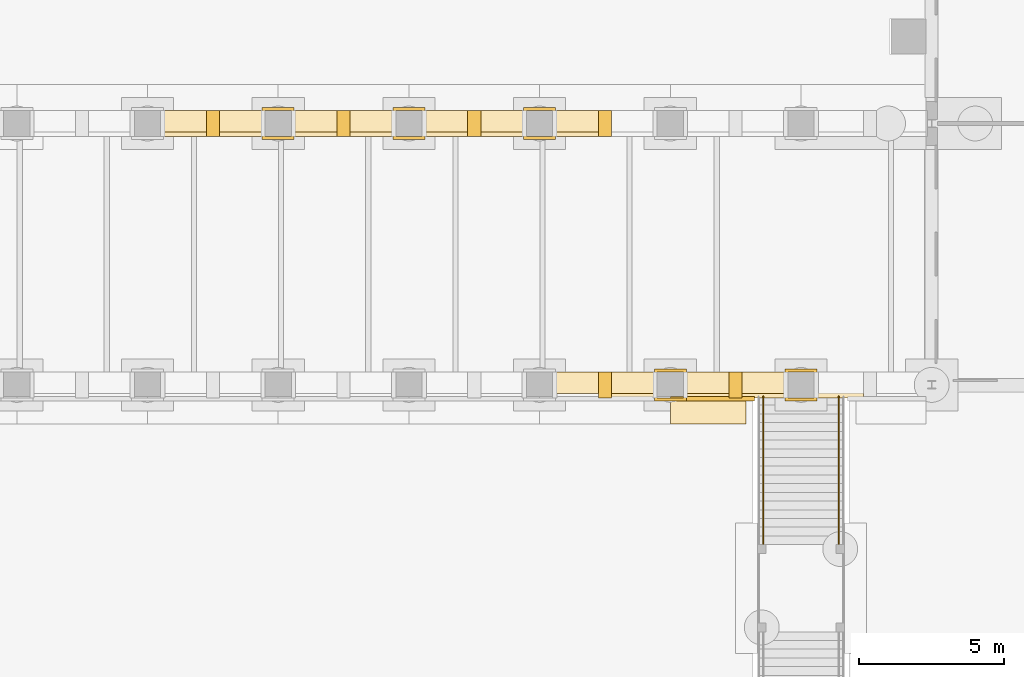
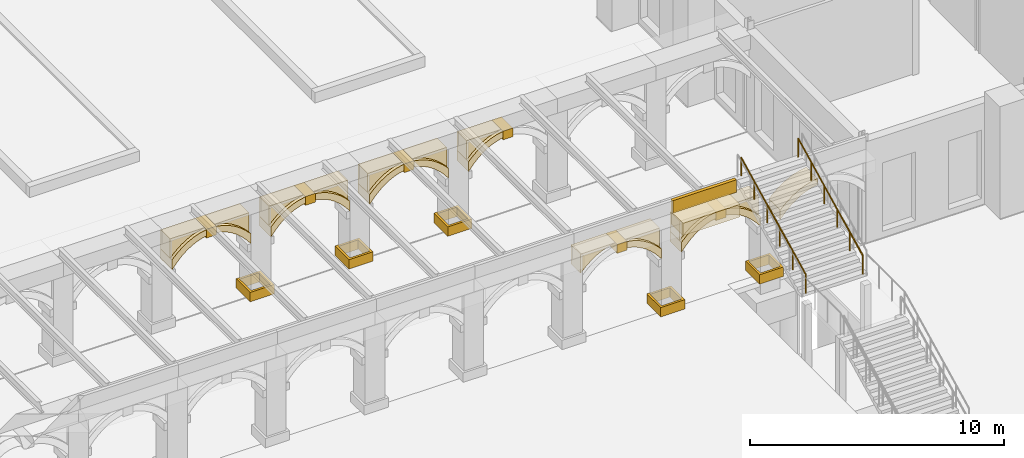
# One storey, part 150 of 168: 35 coverings, 2 railings.
"""IFC4 building model written with IfcOpenShell, lengths in metres."""

import ifcopenshell
import ifcopenshell.guid

model = None  # the IFC model being written
_history = None  # IfcOwnerHistory: only IFC2X3 demands one
_inside = {}  # id of a spatial element -> (the spatial element, [elements in it])
_under = {}  # id of a project, library or spatial element -> (it, [spatial elements below it])
_declared = {}  # id of a project -> (the project, [libraries it declares])
_typed = {}  # id of a type object -> (the type object, [elements of that type])
_made_of = {}  # id of a material, layer set ... -> (it, [elements and type objects made of it])


def new_model(schema):
    """Start an empty IFC model of exactly this schema.

    Asked for "IFC4X3", IfcOpenShell would pick the latest addendum, in which some entities
    have other attributes; the version numbers below select the first issue.
    IFC2X3 requires an IfcOwnerHistory on every rooted entity: one is made here for all.
    """
    global model, _history
    if schema == "IFC4X3":
        model = ifcopenshell.file(schema_version=(4, 3, 0, 0))
    else:
        model = ifcopenshell.file(schema=schema)
    _inside.clear()
    _under.clear()
    _declared.clear()
    _typed.clear()
    _made_of.clear()
    _history = None
    if model.schema == "IFC2X3":
        org = make("IfcOrganization", Name="unknown")
        user = make(
            "IfcPersonAndOrganization",
            ThePerson=make("IfcPerson", FamilyName="unknown"),
            TheOrganization=org,
        )
        app = make(
            "IfcApplication",
            ApplicationDeveloper=org,
            Version="unknown",
            ApplicationFullName="unknown",
            ApplicationIdentifier="unknown",
        )
        _history = make(
            "IfcOwnerHistory",
            OwningUser=user,
            OwningApplication=app,
            ChangeAction="ADDED",
            CreationDate=0,
        )
    return model


def make(cls, **values):
    """One entity of the class cls with the attributes given. An attribute that is None is left unset."""
    return model.create_entity(
        cls, **{name: value for name, value in values.items() if value is not None}
    )


def rooted(cls, **values):
    """An entity with a GlobalId (a new one), such as an element, a storey or a relation."""
    return make(cls, GlobalId=ifcopenshell.guid.new(), OwnerHistory=_history, **values)


def si_unit(unit_type, name, prefix=None):
    """IfcSIUnit, for example si_unit("LENGTHUNIT", "METRE", prefix="MILLI")."""
    return make("IfcSIUnit", UnitType=unit_type, Prefix=prefix, Name=name)


def assignment(units):
    """IfcUnitAssignment: the units of a project."""
    return None if units is None else make("IfcUnitAssignment", Units=units)


def point(xyz):
    """IfcCartesianPoint."""
    return None if xyz is None else make("IfcCartesianPoint", Coordinates=xyz)


def direction(xyz):
    """IfcDirection."""
    return None if xyz is None else make("IfcDirection", DirectionRatios=xyz)


def frame(location, z_axis=None, x_axis=None):
    """IfcAxis2Placement3D, a coordinate frame: its origin and axes. An axis left out is left unset."""
    return make(
        "IfcAxis2Placement3D",
        Location=point(location),
        Axis=direction(z_axis),
        RefDirection=direction(x_axis),
    )


def frame_2d(location, x_axis=None):
    """IfcAxis2Placement2D, a coordinate frame in the plane: its origin and x axis."""
    return make(
        "IfcAxis2Placement2D", Location=point(location), RefDirection=direction(x_axis)
    )


def origin():
    """The frame at (0, 0, 0) with its axes left unset."""
    return frame((0.0, 0.0, 0.0))


def origin_2d():
    """The frame at (0, 0) in the plane with its x axis left unset."""
    return frame_2d((0.0, 0.0))


def place(relative_to, where):
    """IfcLocalPlacement: puts the frame where relative to a parent placement (None: the world)."""
    return make(
        "IfcLocalPlacement", PlacementRelTo=relative_to, RelativePlacement=where
    )


def context(
    kind, dimensions, precision=None, world=None, true_north=None, identifier=None
):
    """IfcGeometricRepresentationContext, for example the 3D "Model" context."""
    return make(
        "IfcGeometricRepresentationContext",
        ContextIdentifier=identifier,
        ContextType=kind,
        CoordinateSpaceDimension=dimensions,
        Precision=precision,
        WorldCoordinateSystem=world,
        TrueNorth=true_north,
    )


def subcontext(parent, identifier, kind, view, scale=None):
    """IfcGeometricRepresentationSubContext, for example "Body" below "Model"."""
    return make(
        "IfcGeometricRepresentationSubContext",
        ContextIdentifier=identifier,
        ContextType=kind,
        ParentContext=parent,
        TargetScale=scale,
        TargetView=view,
    )


def project(units=None, contexts=None):
    """IfcProject with its units and contexts."""
    return rooted(
        "IfcProject",
        Name="project",
        RepresentationContexts=contexts,
        UnitsInContext=assignment(units),
    )


def spatial(cls, under=None, at=None, **own):
    """A site, building, storey or space (cls), placed at a placement, below another one or the project."""
    s = rooted(cls, ObjectPlacement=at, **own)
    if under is not None:
        _under.setdefault(under.id(), (under, []))[1].append(s)
    return s


def polyline(points):
    """IfcPolyline through the points."""
    return make("IfcPolyline", Points=[point(p) for p in points])


def profile(cls, at=None, kind="AREA", **sizes):
    """A parametric profile (cls). Its sizes go by their IFC names, for example OverallWidth=200.0."""
    return make(cls, ProfileType=kind, Position=at, **sizes)


def rectangle(**sizes):
    """IfcRectangleProfileDef."""
    return profile("IfcRectangleProfileDef", **sizes)


def circle(**sizes):
    """IfcCircleProfileDef."""
    return profile("IfcCircleProfileDef", **sizes)


def outline(outer, holes=None, kind="AREA"):
    """IfcArbitraryClosedProfileDef: a profile drawn as a closed curve; with holes, ...WithVoids."""
    if holes is None:
        return make("IfcArbitraryClosedProfileDef", ProfileType=kind, OuterCurve=outer)
    return make(
        "IfcArbitraryProfileDefWithVoids",
        ProfileType=kind,
        OuterCurve=outer,
        InnerCurves=holes,
    )


def extrude(swept, where, along, depth):
    """IfcExtrudedAreaSolid: the profile swept, set in the frame where, extruded along a direction by depth."""
    return make(
        "IfcExtrudedAreaSolid",
        SweptArea=swept,
        Position=where,
        ExtrudedDirection=direction(along),
        Depth=depth,
    )


def shape(context_of_items, identifier, shape_type, items):
    """IfcShapeRepresentation: the items that make up one representation, for example the "Body"."""
    return make(
        "IfcShapeRepresentation",
        ContextOfItems=context_of_items,
        RepresentationIdentifier=identifier,
        RepresentationType=shape_type,
        Items=items,
    )


def material(Name=None, Category=None):
    """IfcMaterial."""
    return make("IfcMaterial", Name=Name, Category=Category)


def layer(
    of_material, thickness, ventilated=None, Name=None, Category=None, Priority=None
):
    """IfcMaterialLayer: one layer of a wall or slab, of a material (None: an air gap)."""
    return make(
        "IfcMaterialLayer",
        Material=of_material,
        LayerThickness=thickness,
        IsVentilated=ventilated,
        Name=Name,
        Category=Category,
        Priority=Priority,
    )


def layer_set(layers, Name=None):
    """IfcMaterialLayerSet."""
    return make("IfcMaterialLayerSet", MaterialLayers=layers, LayerSetName=Name)


def material_profile(
    of_material, cross_section, Name=None, Category=None, Priority=None
):
    """IfcMaterialProfile: a cross section and its material."""
    return make(
        "IfcMaterialProfile",
        Name=Name,
        Material=of_material,
        Profile=cross_section,
        Priority=Priority,
        Category=Category,
    )


def profile_set(profiles, Name=None, composite=None):
    """IfcMaterialProfileSet."""
    return make(
        "IfcMaterialProfileSet",
        Name=Name,
        MaterialProfiles=profiles,
        CompositeProfile=composite,
    )


def made_of(thing, what):
    """Note that an element or type object is made of a material, layer set ...; save() writes the relation."""
    if what is not None:
        _made_of.setdefault(what.id(), (what, []))[1].append(thing)
    return thing


def type_object(cls, material=None, **own):
    """A type object (cls), such as IfcWallType, which elements share."""
    return made_of(rooted(cls, **own), material)


def element(
    cls,
    number,
    at=None,
    inside=None,
    cuts=None,
    type_object=None,
    material=None,
    context=None,
    identifier="Body",
    shape_type=None,
    held_by="IfcProductDefinitionShape",
    body=None,
    shapes=None,
    **own,
):
    """One element of the class cls, such as IfcWall. Its Tag is "e" and its number.

    at: its placement. inside: the storey or other place that contains it. cuts: it is an
    opening in that element (IfcRelVoidsElement). A single representation is given by context,
    identifier, shape_type and body (its items); several are given by shapes. held_by: the class
    of the entity that holds the representations. save() writes the other relations.
    """
    e = rooted(cls, Tag="e%d" % number, ObjectPlacement=at, **own)
    if body is not None:
        shapes = [shape(context, identifier, shape_type, body)]
    if shapes is not None:
        e.Representation = make(held_by, Representations=shapes)
    if inside is not None:
        _inside.setdefault(inside.id(), (inside, []))[1].append(e)
    if cuts is not None:
        rooted(
            "IfcRelVoidsElement", RelatingBuildingElement=cuts, RelatedOpeningElement=e
        )
    if type_object is not None:
        _typed.setdefault(type_object.id(), (type_object, []))[1].append(e)
    return made_of(e, material)


def aggregate(whole, parts):
    """IfcRelAggregates: a whole, such as a stair, and the parts it consists of."""
    return rooted("IfcRelAggregates", RelatingObject=whole, RelatedObjects=parts)


def save(model, path):
    """Write the relations noted so far, then the file.

    IfcRelAggregates (storeys below a building ...), IfcRelContainedInSpatialStructure (elements
    in a storey), IfcRelDefinesByType, IfcRelAssociatesMaterial and IfcRelDeclares: one each for
    every whole, place, type object, material and project.
    """
    for whole, parts in _under.values():
        aggregate(whole, parts)
    for where, things in _inside.values():
        rooted(
            "IfcRelContainedInSpatialStructure",
            RelatedElements=things,
            RelatingStructure=where,
        )
    for kind, things in _typed.values():
        rooted("IfcRelDefinesByType", RelatedObjects=things, RelatingType=kind)
    for what, things in _made_of.values():
        rooted("IfcRelAssociatesMaterial", RelatedObjects=things, RelatingMaterial=what)
    for by, libraries in _declared.values():
        rooted("IfcRelDeclares", RelatingContext=by, RelatedDefinitions=libraries)
    model.write(path)


model = new_model("IFC4")

# Units and contexts
model_context = context("Model", 3, precision=1e-05, world=origin(), true_north=direction((0.0, 1.0)))
body_context = subcontext(model_context, "Body", "Model", "MODEL_VIEW")
ifc_project = project(units=[si_unit("LENGTHUNIT", "METRE"), si_unit("AREAUNIT", "SQUARE_METRE"), si_unit("VOLUMEUNIT", "CUBIC_METRE"), si_unit("PLANEANGLEUNIT", "RADIAN"), si_unit("MASSUNIT", "GRAM", prefix="KILO")], contexts=[model_context])

# Site, building, storey
site_placement = place(None, origin())
site = spatial("IfcSite", under=ifc_project, at=site_placement, CompositionType="ELEMENT")
building_placement = place(site_placement, origin())
building = spatial("IfcBuilding", under=site, at=building_placement, Name="Golden Quay Civic Hall", CompositionType="ELEMENT")
storey_placement = place(building_placement, origin())
storey = spatial("IfcBuildingStorey", under=building, at=storey_placement, Name="L00", CompositionType="ELEMENT", Elevation=0.0)

# Coverings
ifc_material_1 = material(Name="Brick, dark clay facing", Category="masonry")
ifc_layer_1 = layer(ifc_material_1, 0.75)
ifc_layer_set_1 = layer_set([ifc_layer_1], Name="Brick arch spandrel infill 750")
covering_type_1 = type_object("IfcCoveringType", Name="Brick arch spandrel infill 750", PredefinedType="CLADDING", material=ifc_layer_set_1)
covering_1_placement = place(storey_placement, frame((139.949951171875, -9.300048828125, 3.17578125), z_axis=(0.0, -1.0, 0.0), x_axis=(0.707106781187, 0.0, 0.707106781187)))
element("IfcCovering", 1, at=covering_1_placement, inside=storey, type_object=covering_type_1, Name="Arch spandrel outer bay 28 left", PredefinedType="CLADDING", context=body_context, shape_type="SweptSolid", body=[
    extrude(outline(polyline([(0.0, 0.0), (0.0006905339660024879, 0.0), (0.35182705567826755, 0.004143203796014933), (0.6755148522419337, -0.02468658928458889), (0.9739981590465092, -0.08528094480130727), (1.2481401435494968, -0.17608616133063437), (1.4988039732084, -0.29589380443206603), (1.7083810318901549, -0.4322742627175573), (1.760861613306344, -0.46645569403468046), (1.767249052491867, -0.4600682548491575), (0.6535903988213547, 0.6535903988213547), (0.0, 0.0)])), origin(), (0.0, 0.0, -1.0), 0.75),
])
covering_2_placement = place(storey_placement, frame((141.97509765625, -9.300048828125, 4.091064453125), z_axis=(0.0, -1.0, 0.0), x_axis=(0.97842552974, 0.0, -0.206599813053)))
element("IfcCovering", 2, at=covering_2_placement, inside=storey, type_object=covering_type_1, Name="Arch spandrel outer bay 28 right", PredefinedType="CLADDING", context=body_context, shape_type="SweptSolid", body=[
    extrude(outline(polyline([(0.0, 0.0), (0.06263051710363293, 1.734723475976807e-18), (0.31267483867747137, -0.0001008788149670925), (0.5881025541456739, -0.03651242089648961), (0.8673750848258303, -0.11003975339043703), (1.1505561937424948, -0.22216655622637274), (1.4375212099073598, -0.3746658221616902), (1.7294911476562997, -0.5697749671774053), (1.7300697733119603, -0.5701518352031314), (1.539106176579233, 0.3342229342292182), (-0.0018662580768914177, 0.008838316552825392), (0.0, 0.0)])), origin(), (0.0, 0.0, -1.0), 0.75),
])
covering_3_placement = place(storey_placement, frame((144.449951171875, -9.300048828125, 3.17578125), z_axis=(0.0, -1.0, 0.0), x_axis=(0.707106781187, 0.0, 0.707106781187)))
element("IfcCovering", 3, at=covering_3_placement, inside=storey, type_object=covering_type_1, Name="Arch spandrel outer bay 29 left", PredefinedType="CLADDING", context=body_context, shape_type="SweptSolid", body=[
    extrude(outline(polyline([(0.0, 0.0), (0.0006905339660024879, 0.0), (0.35182705567826755, 0.004143203796014933), (0.6755148522419337, -0.02468658928458889), (0.9739981590465092, -0.08528094480130727), (1.2481401435494968, -0.17608616133063437), (1.4988039732084, -0.29589380443206603), (1.7083810318901549, -0.4322742627175573), (1.760861613306344, -0.46645569403468046), (1.767249052491867, -0.4600682548491575), (0.6535903988213547, 0.6535903988213547), (0.0, 0.0)])), origin(), (0.0, 0.0, -1.0), 0.75),
])
covering_4_placement = place(storey_placement, frame((146.47509765625, -9.300048828125, 4.091064453125), z_axis=(0.0, -1.0, 0.0), x_axis=(0.97842552974, 0.0, -0.206599813053)))
element("IfcCovering", 4, at=covering_4_placement, inside=storey, type_object=covering_type_1, Name="Arch spandrel outer bay 29 right", PredefinedType="CLADDING", context=body_context, shape_type="SweptSolid", body=[
    extrude(outline(polyline([(0.0, 0.0), (0.06263051710363293, 1.734723475976807e-18), (0.31267483867747137, -0.0001008788149670925), (0.5881025541456739, -0.03651242089648961), (0.8673750848258303, -0.11003975339043703), (1.1505561937424948, -0.22216655622637274), (1.4375212099073598, -0.3746658221616902), (1.7294911476562997, -0.5697749671774053), (1.7300697733119603, -0.5701518352031314), (1.539106176579233, 0.3342229342292182), (-0.0018662580768914177, 0.008838316552825392), (0.0, 0.0)])), origin(), (0.0, 0.0, -1.0), 0.75),
])
covering_5_placement = place(storey_placement, frame((126.449951171875, -0.300048828125, 3.17578125), z_axis=(0.0, -1.0, 0.0), x_axis=(0.707106781187, 0.0, 0.707106781187)))
element("IfcCovering", 5, at=covering_5_placement, inside=storey, type_object=covering_type_1, Name="Arch spandrel inner1 bay 3 left", PredefinedType="CLADDING", context=body_context, shape_type="SweptSolid", body=[
    extrude(outline(polyline([(0.0, 0.0), (0.0006905339660024879, 0.0), (0.35182705567826755, 0.004143203796014933), (0.6755148522419337, -0.02468658928458889), (0.9739981590465092, -0.08528094480130727), (1.2481401435494968, -0.17608616133063437), (1.4988039732084, -0.29589380443206603), (1.7083810318901549, -0.4322742627175573), (1.760861613306344, -0.46645569403468046), (1.767249052491867, -0.4600682548491575), (0.6535903988213547, 0.6535903988213547), (0.0, 0.0)])), origin(), (0.0, 0.0, -1.0), 0.75),
])
covering_6_placement = place(storey_placement, frame((128.47509765625, -0.300048828125, 4.091064453125), z_axis=(0.0, -1.0, 0.0), x_axis=(0.97842552974, 0.0, -0.206599813053)))
element("IfcCovering", 6, at=covering_6_placement, inside=storey, type_object=covering_type_1, Name="Arch spandrel inner1 bay 3 right", PredefinedType="CLADDING", context=body_context, shape_type="SweptSolid", body=[
    extrude(outline(polyline([(0.0, 0.0), (0.06263051710363293, 1.734723475976807e-18), (0.31267483867747137, -0.0001008788149670925), (0.5881025541456739, -0.03651242089648961), (0.8673750848258303, -0.11003975339043703), (1.1505561937424948, -0.22216655622637274), (1.4375212099073598, -0.3746658221616902), (1.7294911476562997, -0.5697749671774053), (1.7300697733119603, -0.5701518352031314), (1.539106176579233, 0.3342229342292182), (-0.0018662580768914177, 0.008838316552825392), (0.0, 0.0)])), origin(), (0.0, 0.0, -1.0), 0.75),
])
covering_7_placement = place(storey_placement, frame((130.949951171875, -0.300048828125, 3.17578125), z_axis=(0.0, -1.0, 0.0), x_axis=(0.707106781187, 0.0, 0.707106781187)))
element("IfcCovering", 7, at=covering_7_placement, inside=storey, type_object=covering_type_1, Name="Arch spandrel inner1 bay 4 left", PredefinedType="CLADDING", context=body_context, shape_type="SweptSolid", body=[
    extrude(outline(polyline([(0.0, 0.0), (0.0006905339660024879, 0.0), (0.35182705567826755, 0.004143203796014933), (0.6755148522419337, -0.02468658928458889), (0.9739981590465092, -0.08528094480130727), (1.2481401435494968, -0.17608616133063437), (1.4988039732084, -0.29589380443206603), (1.7083810318901549, -0.4322742627175573), (1.760861613306344, -0.46645569403468046), (1.767249052491867, -0.4600682548491575), (0.6535903988213547, 0.6535903988213547), (0.0, 0.0)])), origin(), (0.0, 0.0, -1.0), 0.75),
])
covering_8_placement = place(storey_placement, frame((132.97509765625, -0.300048828125, 4.091064453125), z_axis=(0.0, -1.0, 0.0), x_axis=(0.97842552974, 0.0, -0.206599813053)))
element("IfcCovering", 8, at=covering_8_placement, inside=storey, type_object=covering_type_1, Name="Arch spandrel inner1 bay 4 right", PredefinedType="CLADDING", context=body_context, shape_type="SweptSolid", body=[
    extrude(outline(polyline([(0.0, 0.0), (0.06263051710363293, 1.734723475976807e-18), (0.31267483867747137, -0.0001008788149670925), (0.5881025541456739, -0.03651242089648961), (0.8673750848258303, -0.11003975339043703), (1.1505561937424948, -0.22216655622637274), (1.4375212099073598, -0.3746658221616902), (1.7294911476562997, -0.5697749671774053), (1.7300697733119603, -0.5701518352031314), (1.539106176579233, 0.3342229342292182), (-0.0018662580768914177, 0.008838316552825392), (0.0, 0.0)])), origin(), (0.0, 0.0, -1.0), 0.75),
])
covering_9_placement = place(storey_placement, frame((135.449951171875, -0.300048828125, 3.17578125), z_axis=(0.0, -1.0, 0.0), x_axis=(0.707106781187, 0.0, 0.707106781187)))
element("IfcCovering", 9, at=covering_9_placement, inside=storey, type_object=covering_type_1, Name="Arch spandrel inner1 bay 5 left", PredefinedType="CLADDING", context=body_context, shape_type="SweptSolid", body=[
    extrude(outline(polyline([(0.0, 0.0), (0.0006905339660024879, 0.0), (0.35182705567826755, 0.004143203796014933), (0.6755148522419337, -0.02468658928458889), (0.9739981590465092, -0.08528094480130727), (1.2481401435494968, -0.17608616133063437), (1.4988039732084, -0.29589380443206603), (1.7083810318901549, -0.4322742627175573), (1.760861613306344, -0.46645569403468046), (1.767249052491867, -0.4600682548491575), (0.6535903988213547, 0.6535903988213547), (0.0, 0.0)])), origin(), (0.0, 0.0, -1.0), 0.75),
])
covering_10_placement = place(storey_placement, frame((137.47509765625, -0.300048828125, 4.091064453125), z_axis=(0.0, -1.0, 0.0), x_axis=(0.97842552974, 0.0, -0.206599813053)))
element("IfcCovering", 10, at=covering_10_placement, inside=storey, type_object=covering_type_1, Name="Arch spandrel inner1 bay 5 right", PredefinedType="CLADDING", context=body_context, shape_type="SweptSolid", body=[
    extrude(outline(polyline([(0.0, 0.0), (0.06263051710363293, 1.734723475976807e-18), (0.31267483867747137, -0.0001008788149670925), (0.5881025541456739, -0.03651242089648961), (0.8673750848258303, -0.11003975339043703), (1.1505561937424948, -0.22216655622637274), (1.4375212099073598, -0.3746658221616902), (1.7294911476562997, -0.5697749671774053), (1.7300697733119603, -0.5701518352031314), (1.539106176579233, 0.3342229342292182), (-0.0018662580768914177, 0.008838316552825392), (0.0, 0.0)])), origin(), (0.0, 0.0, -1.0), 0.75),
])
covering_11_placement = place(storey_placement, frame((139.949951171875, -0.300048828125, 3.17578125), z_axis=(0.0, -1.0, 0.0), x_axis=(0.707106781187, 0.0, 0.707106781187)))
element("IfcCovering", 11, at=covering_11_placement, inside=storey, type_object=covering_type_1, Name="Arch spandrel inner1 bay 6 left", PredefinedType="CLADDING", context=body_context, shape_type="SweptSolid", body=[
    extrude(outline(polyline([(0.0, 0.0), (0.0006905339660024879, 0.0), (0.35182705567826755, 0.004143203796014933), (0.6755148522419337, -0.02468658928458889), (0.9739981590465092, -0.08528094480130727), (1.2481401435494968, -0.17608616133063437), (1.4988039732084, -0.29589380443206603), (1.7083810318901549, -0.4322742627175573), (1.760861613306344, -0.46645569403468046), (1.767249052491867, -0.4600682548491575), (0.6535903988213547, 0.6535903988213547), (0.0, 0.0)])), origin(), (0.0, 0.0, -1.0), 0.75),
])

# Railings
ifc_material_2 = material(Name="Stainless steel", Category="steel")
railing_type = type_object("IfcRailingType", Name="Stainless steel handrail 900", PredefinedType="HANDRAIL", material=ifc_material_2)
for number, where, name in (
    (12, (147.199951171875, -14.5, 2.85009765625), "Stair handrail east"),
    (13, (149.800048828125, -14.5, 2.85009765625), "Stair handrail east"),
):
    element("IfcRailing", number, at=place(storey_placement, frame(where)), inside=storey, type_object=railing_type, Name=name, PredefinedType="HANDRAIL", context=body_context, shape_type="SweptSolid", body=[
        extrude(circle(Radius=0.0224609375, at=origin_2d()), frame((0.0, 0.0, 0.87744140625), z_axis=(0.0, 0.89444431709, 0.44717934168), x_axis=(-1.0, 0.0, 0.0)), (0.0, 0.0, 1.0), 5.701904296875),
        extrude(circle(Radius=0.02001953125, at=origin_2d()), origin(), (0.0, 0.0, 1.0), 0.85498046875),
        extrude(circle(Radius=0.02001953125, at=origin_2d()), frame((0.0, 1.02001953125, 0.510009765625)), (0.0, 0.0, 1.0), 0.85498046875),
        extrude(circle(Radius=0.02001953125, at=origin_2d()), frame((0.0, 2.0400390625, 1.02001953125)), (0.0, 0.0, 1.0), 0.85498046875),
        extrude(circle(Radius=0.02001953125, at=origin_2d()), frame((0.0, 3.06005859375, 1.52978515625)), (0.0, 0.0, 1.0), 0.85498046875),
        extrude(circle(Radius=0.02001953125, at=origin_2d()), frame((0.0, 4.080078125, 2.039794921875)), (0.0, 0.0, 1.0), 0.85498046875),
        extrude(circle(Radius=0.02001953125, at=origin_2d()), frame((0.0, 5.10009765625, 2.5498046875)), (0.0, 0.0, 1.0), 0.85498046875),
    ])

# Coverings
ifc_material_3 = material(Name="Stone, buff limestone", Category="masonry")
ifc_layer_2 = layer(ifc_material_3, 0.89990234375)
ifc_layer_set_2 = layer_set([ifc_layer_2], Name="Stone arch keystone 450 x 420")
covering_type_2 = type_object("IfcCoveringType", Name="Stone arch keystone 450 x 420", PredefinedType="CLADDING", material=ifc_layer_set_2)
for number, where, z_axis, x_axis, name in (
    (14, (141.52490234375, -9.449951171875, 3.679931640625), (0.0, -1.0, 0.0), (1.0, 0.0, 0.0), "Arch keystone outer bay 28 crown"),
    (15, (146.02490234375, -9.449951171875, 3.679931640625), (0.0, -1.0, 0.0), (1.0, 0.0, 0.0), "Arch keystone outer bay 29 crown"),
    (16, (128.02490234375, -0.449951171875, 3.679931640625), (0.0, -1.0, 0.0), (1.0, 0.0, 0.0), "Arch keystone inner1 bay 3 crown"),
    (17, (132.52490234375, -0.449951171875, 3.679931640625), (0.0, -1.0, 0.0), (1.0, 0.0, 0.0), "Arch keystone inner1 bay 4 crown"),
    (18, (137.02490234375, -0.449951171875, 3.679931640625), (0.0, -1.0, 0.0), (1.0, 0.0, 0.0), "Arch keystone inner1 bay 5 crown"),
    (19, (141.52490234375, -0.449951171875, 3.679931640625), (0.0, -1.0, 0.0), (1.0, 0.0, 0.0), "Arch keystone inner1 bay 6 crown"),
):
    element("IfcCovering", number, at=place(storey_placement, frame(where, z_axis=z_axis, x_axis=x_axis)), inside=storey, type_object=covering_type_2, Name=name, PredefinedType="CLADDING", context=body_context, shape_type="SweptSolid", body=[
        extrude(outline(polyline([(0.0, 0.0), (0.4501953125, 0.0), (0.4501953125, 0.420166015625), (0.0, 0.420166015625), (0.0, 0.0)])), origin(), (0.0, 0.0, -1.0), 0.89990234375),
    ])
ifc_material_4 = material(Name="Stone, buff limestone", Category="masonry")
ifc_layer_3 = layer(ifc_material_4, 0.89990234375)
ifc_layer_set_3 = layer_set([ifc_layer_3], Name="Stone arch ring 900 x 300")
covering_type_3 = type_object("IfcCoveringType", Name="Stone arch ring 900 x 300", PredefinedType="CLADDING", material=ifc_layer_set_3)
covering_12_placement = place(storey_placement, frame((141.97509765625, -9.449951171875, 3.784423828125), z_axis=(0.0, -1.0, 0.0), x_axis=(0.978953882547, 0.0, -0.20408159115)))
element("IfcCovering", 20, at=covering_12_placement, inside=storey, type_object=covering_type_3, Name="Arch ring outer bay 28 right", PredefinedType="CLADDING", context=body_context, shape_type="SweptSolid", body=[
    extrude(outline(polyline([(0.0, 0.0), (0.22968754671057404, 0.0), (0.4662407685933837, -0.031737496286033756), (0.7094806084662527, -0.09674615254891705), (0.9602836680123576, -0.19683833887607075), (1.2190088401055397, -0.33493190882748347), (1.486164491441282, -0.5146617232013373), (1.7631254697749046, -0.7402301762123651), (1.666017310314196, -0.27441447379927847), (1.665439656274305, -0.27403611818824464), (1.3739727106559259, -0.07817636573824266), (1.0874010326963535, 0.07506077076837225), (0.8045093690852512, 0.18791584163726896), (0.5254269523975812, 0.26216151297199447), (0.25009383740278873, 0.29928162385615015), (5.060311670204709e-05, 0.3000258789264141), (-0.06257970666118522, 0.30018703039037287), (0.0, 0.0)])), origin(), (0.0, 0.0, -1.0), 0.89990234375),
])
covering_13_placement = place(storey_placement, frame((144.449951171875, -9.449951171875, 2.699951171875), z_axis=(0.0, -1.0, 0.0), x_axis=(0.630180832165, 0.0, 0.776448400585)))
element("IfcCovering", 21, at=covering_13_placement, inside=storey, type_object=covering_type_3, Name="Arch ring outer bay 29 left", PredefinedType="CLADDING", context=body_context, shape_type="SweptSolid", body=[
    extrude(outline(polyline([(0.0, 0.0), (0.3571953394339093, 0.0), (0.6778408073481526, -0.02935016390994566), (0.9656562359875701, -0.08566026756533418), (1.2233312115769217, -0.1664329572349489), (1.452986632547569, -0.2696324374142566), (1.6564467051663616, -0.39440701136103273), (1.8345410995356382, -0.5394544374263122), (2.0726317223713804, -0.3462153931881483), (2.023967866388838, -0.30678937647863513), (1.8296201479431229, -0.14946443483618055), (1.5926919309667726, -0.004373956702034887), (1.3294118430005957, 0.11429790304869314), (1.038796361200025, 0.20543846536483718), (0.7198262528649223, 0.2675916358552039), (0.37014433379061235, 0.2997875748909126), (0.36945750311055836, 0.2998589946020553), (0.0, 0.0)])), origin(), (0.0, 0.0, -1.0), 0.89990234375),
])
covering_14_placement = place(storey_placement, frame((146.47509765625, -9.449951171875, 3.784423828125), z_axis=(0.0, -1.0, 0.0), x_axis=(0.978953882547, 0.0, -0.20408159115)))
element("IfcCovering", 22, at=covering_14_placement, inside=storey, type_object=covering_type_3, Name="Arch ring outer bay 29 right", PredefinedType="CLADDING", context=body_context, shape_type="SweptSolid", body=[
    extrude(outline(polyline([(0.0, 0.0), (0.22968754671057404, 0.0), (0.4662407685933837, -0.031737496286033756), (0.7094806084662527, -0.09674615254891705), (0.9602836680123576, -0.19683833887607075), (1.2190088401055397, -0.33493190882748347), (1.486164491441282, -0.5146617232013373), (1.7631254697749046, -0.7402301762123651), (1.666017310314196, -0.27441447379927847), (1.665439656274305, -0.27403611818824464), (1.3739727106559259, -0.07817636573824266), (1.0874010326963535, 0.07506077076837225), (0.8045093690852512, 0.18791584163726896), (0.5254269523975812, 0.26216151297199447), (0.25009383740278873, 0.29928162385615015), (5.060311670204709e-05, 0.3000258789264141), (-0.06257970666118522, 0.30018703039037287), (0.0, 0.0)])), origin(), (0.0, 0.0, -1.0), 0.89990234375),
])
covering_15_placement = place(storey_placement, frame((148.949951171875, -9.449951171875, 2.699951171875), z_axis=(0.0, -1.0, 0.0), x_axis=(0.655607573195, 0.0, 0.75510178782)))
element("IfcCovering", 23, at=covering_15_placement, inside=storey, type_object=covering_type_3, Name="Arch ring outer bay 30 left", PredefinedType="CLADDING", context=body_context, shape_type="SweptSolid", body=[
    extrude(outline(polyline([(0.0, 0.0), (0.37052641215113535, 0.0), (0.7049200239085212, -0.03137184676420662), (1.0065234442554076, -0.09089004085938673), (1.2786064104358172, -0.17636231724758233), (1.5230367232536635, -0.2858436600369565), (1.7414735419107, -0.41789352524343826), (1.934862912098755, -0.5713671991885638), (2.165486041142534, -0.37113158540273483), (2.1213852871341565, -0.3363508533714772), (1.9121928840139812, -0.1713788876459601), (1.6617227426728611, -0.019936613972285855), (1.3845746275894437, 0.1041396673527406), (1.0801711951167352, 0.2000253635360042), (0.7473334673810057, 0.26572687752618274), (0.3838735226929925, 0.29966789547627354), (0.3452894649872084, 0.2997932091293825), (0.0, 0.0)])), origin(), (0.0, 0.0, -1.0), 0.89990234375),
])
covering_16_placement = place(storey_placement, frame((126.449951171875, -0.449951171875, 2.699951171875), z_axis=(0.0, -1.0, 0.0), x_axis=(0.630180832165, 0.0, 0.776448400585)))
element("IfcCovering", 24, at=covering_16_placement, inside=storey, type_object=covering_type_3, Name="Arch ring inner1 bay 3 left", PredefinedType="CLADDING", context=body_context, shape_type="SweptSolid", body=[
    extrude(outline(polyline([(0.0, 0.0), (0.3571953394339093, 0.0), (0.6778408073481526, -0.02935016390994566), (0.9656562359875701, -0.08566026756533418), (1.2233312115769217, -0.1664329572349489), (1.452986632547569, -0.2696324374142566), (1.6564467051663616, -0.39440701136103273), (1.8345410995356382, -0.5394544374263122), (2.0726317223713804, -0.3462153931881483), (2.023967866388838, -0.30678937647863513), (1.8296201479431229, -0.14946443483618055), (1.5926919309667726, -0.004373956702034887), (1.3294118430005957, 0.11429790304869314), (1.038796361200025, 0.20543846536483718), (0.7198262528649223, 0.2675916358552039), (0.37014433379061235, 0.2997875748909126), (0.36945750311055836, 0.2998589946020553), (0.0, 0.0)])), origin(), (0.0, 0.0, -1.0), 0.89990234375),
])
covering_17_placement = place(storey_placement, frame((128.47509765625, -0.449951171875, 3.784423828125), z_axis=(0.0, -1.0, 0.0), x_axis=(0.978953882547, 0.0, -0.20408159115)))
element("IfcCovering", 25, at=covering_17_placement, inside=storey, type_object=covering_type_3, Name="Arch ring inner1 bay 3 right", PredefinedType="CLADDING", context=body_context, shape_type="SweptSolid", body=[
    extrude(outline(polyline([(0.0, 0.0), (0.22968754671057404, 0.0), (0.4662407685933837, -0.031737496286033756), (0.7094806084662527, -0.09674615254891705), (0.9602836680123576, -0.19683833887607075), (1.2190088401055397, -0.33493190882748347), (1.486164491441282, -0.5146617232013373), (1.7631254697749046, -0.7402301762123651), (1.666017310314196, -0.27441447379927847), (1.665439656274305, -0.27403611818824464), (1.3739727106559259, -0.07817636573824266), (1.0874010326963535, 0.07506077076837225), (0.8045093690852512, 0.18791584163726896), (0.5254269523975812, 0.26216151297199447), (0.25009383740278873, 0.29928162385615015), (5.060311670204709e-05, 0.3000258789264141), (-0.06257970666118522, 0.30018703039037287), (0.0, 0.0)])), origin(), (0.0, 0.0, -1.0), 0.89990234375),
])
covering_18_placement = place(storey_placement, frame((130.949951171875, -0.449951171875, 2.699951171875), z_axis=(0.0, -1.0, 0.0), x_axis=(0.630180832165, 0.0, 0.776448400585)))
element("IfcCovering", 26, at=covering_18_placement, inside=storey, type_object=covering_type_3, Name="Arch ring inner1 bay 4 left", PredefinedType="CLADDING", context=body_context, shape_type="SweptSolid", body=[
    extrude(outline(polyline([(0.0, 0.0), (0.3571953394339093, 0.0), (0.6778408073481526, -0.02935016390994566), (0.9656562359875701, -0.08566026756533418), (1.2233312115769217, -0.1664329572349489), (1.452986632547569, -0.2696324374142566), (1.6564467051663616, -0.39440701136103273), (1.8345410995356382, -0.5394544374263122), (2.0726317223713804, -0.3462153931881483), (2.023967866388838, -0.30678937647863513), (1.8296201479431229, -0.14946443483618055), (1.5926919309667726, -0.004373956702034887), (1.3294118430005957, 0.11429790304869314), (1.038796361200025, 0.20543846536483718), (0.7198262528649223, 0.2675916358552039), (0.37014433379061235, 0.2997875748909126), (0.36945750311055836, 0.2998589946020553), (0.0, 0.0)])), origin(), (0.0, 0.0, -1.0), 0.89990234375),
])
covering_19_placement = place(storey_placement, frame((132.97509765625, -0.449951171875, 3.784423828125), z_axis=(0.0, -1.0, 0.0), x_axis=(0.978953882547, 0.0, -0.20408159115)))
element("IfcCovering", 27, at=covering_19_placement, inside=storey, type_object=covering_type_3, Name="Arch ring inner1 bay 4 right", PredefinedType="CLADDING", context=body_context, shape_type="SweptSolid", body=[
    extrude(outline(polyline([(0.0, 0.0), (0.22968754671057404, 0.0), (0.4662407685933837, -0.031737496286033756), (0.7094806084662527, -0.09674615254891705), (0.9602836680123576, -0.19683833887607075), (1.2190088401055397, -0.33493190882748347), (1.486164491441282, -0.5146617232013373), (1.7631254697749046, -0.7402301762123651), (1.666017310314196, -0.27441447379927847), (1.665439656274305, -0.27403611818824464), (1.3739727106559259, -0.07817636573824266), (1.0874010326963535, 0.07506077076837225), (0.8045093690852512, 0.18791584163726896), (0.5254269523975812, 0.26216151297199447), (0.25009383740278873, 0.29928162385615015), (5.060311670204709e-05, 0.3000258789264141), (-0.06257970666118522, 0.30018703039037287), (0.0, 0.0)])), origin(), (0.0, 0.0, -1.0), 0.89990234375),
])
covering_20_placement = place(storey_placement, frame((135.449951171875, -0.449951171875, 2.699951171875), z_axis=(0.0, -1.0, 0.0), x_axis=(0.630180832165, 0.0, 0.776448400585)))
element("IfcCovering", 28, at=covering_20_placement, inside=storey, type_object=covering_type_3, Name="Arch ring inner1 bay 5 left", PredefinedType="CLADDING", context=body_context, shape_type="SweptSolid", body=[
    extrude(outline(polyline([(0.0, 0.0), (0.3571953394339093, 0.0), (0.6778408073481526, -0.02935016390994566), (0.9656562359875701, -0.08566026756533418), (1.2233312115769217, -0.1664329572349489), (1.452986632547569, -0.2696324374142566), (1.6564467051663616, -0.39440701136103273), (1.8345410995356382, -0.5394544374263122), (2.0726317223713804, -0.3462153931881483), (2.023967866388838, -0.30678937647863513), (1.8296201479431229, -0.14946443483618055), (1.5926919309667726, -0.004373956702034887), (1.3294118430005957, 0.11429790304869314), (1.038796361200025, 0.20543846536483718), (0.7198262528649223, 0.2675916358552039), (0.37014433379061235, 0.2997875748909126), (0.36945750311055836, 0.2998589946020553), (0.0, 0.0)])), origin(), (0.0, 0.0, -1.0), 0.89990234375),
])
covering_21_placement = place(storey_placement, frame((137.47509765625, -0.449951171875, 3.784423828125), z_axis=(0.0, -1.0, 0.0), x_axis=(0.978953882547, 0.0, -0.20408159115)))
element("IfcCovering", 29, at=covering_21_placement, inside=storey, type_object=covering_type_3, Name="Arch ring inner1 bay 5 right", PredefinedType="CLADDING", context=body_context, shape_type="SweptSolid", body=[
    extrude(outline(polyline([(0.0, 0.0), (0.22968754671057404, 0.0), (0.4662407685933837, -0.031737496286033756), (0.7094806084662527, -0.09674615254891705), (0.9602836680123576, -0.19683833887607075), (1.2190088401055397, -0.33493190882748347), (1.486164491441282, -0.5146617232013373), (1.7631254697749046, -0.7402301762123651), (1.666017310314196, -0.27441447379927847), (1.665439656274305, -0.27403611818824464), (1.3739727106559259, -0.07817636573824266), (1.0874010326963535, 0.07506077076837225), (0.8045093690852512, 0.18791584163726896), (0.5254269523975812, 0.26216151297199447), (0.25009383740278873, 0.29928162385615015), (5.060311670204709e-05, 0.3000258789264141), (-0.06257970666118522, 0.30018703039037287), (0.0, 0.0)])), origin(), (0.0, 0.0, -1.0), 0.89990234375),
])
covering_22_placement = place(storey_placement, frame((139.949951171875, -0.449951171875, 2.699951171875), z_axis=(0.0, -1.0, 0.0), x_axis=(0.630180832165, 0.0, 0.776448400585)))
element("IfcCovering", 30, at=covering_22_placement, inside=storey, type_object=covering_type_3, Name="Arch ring inner1 bay 6 left", PredefinedType="CLADDING", context=body_context, shape_type="SweptSolid", body=[
    extrude(outline(polyline([(0.0, 0.0), (0.3571953394339093, 0.0), (0.6778408073481526, -0.02935016390994566), (0.9656562359875701, -0.08566026756533418), (1.2233312115769217, -0.1664329572349489), (1.452986632547569, -0.2696324374142566), (1.6564467051663616, -0.39440701136103273), (1.8345410995356382, -0.5394544374263122), (2.0726317223713804, -0.3462153931881483), (2.023967866388838, -0.30678937647863513), (1.8296201479431229, -0.14946443483618055), (1.5926919309667726, -0.004373956702034887), (1.3294118430005957, 0.11429790304869314), (1.038796361200025, 0.20543846536483718), (0.7198262528649223, 0.2675916358552039), (0.37014433379061235, 0.2997875748909126), (0.36945750311055836, 0.2998589946020553), (0.0, 0.0)])), origin(), (0.0, 0.0, -1.0), 0.89990234375),
])
ifc_material_5 = material(Name="Stone, buff limestone", Category="masonry")
ifc_material_profile_1 = material_profile(ifc_material_5, rectangle(XDim=0.89990234375, YDim=0.60009765625, at=origin_2d()), Name="RC 900x600")
ifc_profile_set_1 = profile_set([ifc_material_profile_1], Name="Stone, buff limestone")
covering_type_4 = type_object("IfcCoveringType", Name="Stone cornice 900 x 600", PredefinedType="MOLDING", material=ifc_profile_set_1)
covering_23_placement = place(storey_placement, frame((144.0, -9.89990234375, 4.5), z_axis=(1.0, 0.0, 0.0), x_axis=(0.0, 1.0, 0.0)))
element("IfcCovering", 31, at=covering_23_placement, inside=storey, type_object=covering_type_4, Name="Stone cornice outer bay 29", PredefinedType="MOLDING", context=body_context, shape_type="SweptSolid", body=[
    extrude(rectangle(XDim=0.89990234375, YDim=0.60009765625, at=origin_2d()), origin(), (0.0, 0.0, 1.0), 2.60009765625),
])
ifc_material_6 = material(Name="Stone, buff limestone", Category="masonry")
ifc_layer_4 = layer(ifc_material_6, 0.449951171875)
ifc_layer_set_4 = layer_set([ifc_layer_4], Name="Stone pier plinth 450")
covering_type_5 = type_object("IfcCoveringType", Name="Stone pier plinth 450", PredefinedType="CLADDING", material=ifc_layer_set_4)
covering_24_placement = place(storey_placement, origin())
element("IfcCovering", 32, at=covering_24_placement, inside=storey, type_object=covering_type_5, Name="Pier plinth outer 144", PredefinedType="CLADDING", context=body_context, shape_type="SweptSolid", body=[
    extrude(outline(polyline([(143.449951171875, -9.550048828125), (144.550048828125, -9.550048828125), (144.550048828125, -8.449951171875), (143.449951171875, -8.449951171875), (143.449951171875, -9.550048828125)]), holes=[polyline([(143.550048828125, -9.449951171875), (144.449951171875, -9.449951171875), (144.449951171875, -8.550048828125), (143.550048828125, -8.550048828125), (143.550048828125, -9.449951171875)])]), origin(), (0.0, 0.0, 1.0), 0.449951171875),
])
covering_25_placement = place(storey_placement, origin())
element("IfcCovering", 33, at=covering_25_placement, inside=storey, type_object=covering_type_5, Name="Pier plinth outer 148.5", PredefinedType="CLADDING", context=body_context, shape_type="SweptSolid", body=[
    extrude(outline(polyline([(147.949951171875, -9.550048828125), (149.050048828125, -9.550048828125), (149.050048828125, -8.449951171875), (147.949951171875, -8.449951171875), (147.949951171875, -9.550048828125)]), holes=[polyline([(148.050048828125, -9.449951171875), (148.949951171875, -9.449951171875), (148.949951171875, -8.550048828125), (148.050048828125, -8.550048828125), (148.050048828125, -9.449951171875)])]), origin(), (0.0, 0.0, 1.0), 0.449951171875),
])
covering_26_placement = place(storey_placement, origin())
element("IfcCovering", 34, at=covering_26_placement, inside=storey, type_object=covering_type_5, Name="Pier plinth inner1 130.5", PredefinedType="CLADDING", context=body_context, shape_type="SweptSolid", body=[
    extrude(outline(polyline([(129.949951171875, -0.550048828125), (131.050048828125, -0.550048828125), (131.050048828125, 0.550048828125), (129.949951171875, 0.550048828125), (129.949951171875, -0.550048828125)]), holes=[polyline([(130.050048828125, -0.449951171875), (130.949951171875, -0.449951171875), (130.949951171875, 0.449951171875), (130.050048828125, 0.449951171875), (130.050048828125, -0.449951171875)])]), origin(), (0.0, 0.0, 1.0), 0.449951171875),
])
covering_27_placement = place(storey_placement, origin())
element("IfcCovering", 35, at=covering_27_placement, inside=storey, type_object=covering_type_5, Name="Pier plinth inner1 135", PredefinedType="CLADDING", context=body_context, shape_type="SweptSolid", body=[
    extrude(outline(polyline([(134.449951171875, -0.550048828125), (135.550048828125, -0.550048828125), (135.550048828125, 0.550048828125), (134.449951171875, 0.550048828125), (134.449951171875, -0.550048828125)]), holes=[polyline([(134.550048828125, -0.449951171875), (135.449951171875, -0.449951171875), (135.449951171875, 0.449951171875), (134.550048828125, 0.449951171875), (134.550048828125, -0.449951171875)])]), origin(), (0.0, 0.0, 1.0), 0.449951171875),
])
covering_28_placement = place(storey_placement, origin())
element("IfcCovering", 36, at=covering_28_placement, inside=storey, type_object=covering_type_5, Name="Pier plinth inner1 139.5", PredefinedType="CLADDING", context=body_context, shape_type="SweptSolid", body=[
    extrude(outline(polyline([(138.949951171875, -0.550048828125), (140.050048828125, -0.550048828125), (140.050048828125, 0.550048828125), (138.949951171875, 0.550048828125), (138.949951171875, -0.550048828125)]), holes=[polyline([(139.050048828125, -0.449951171875), (139.949951171875, -0.449951171875), (139.949951171875, 0.449951171875), (139.050048828125, 0.449951171875), (139.050048828125, -0.449951171875)])]), origin(), (0.0, 0.0, 1.0), 0.449951171875),
])
ifc_material_7 = material(Name="Stone, buff limestone", Category="masonry")
ifc_material_profile_2 = material_profile(ifc_material_7, rectangle(XDim=0.14990234375, YDim=0.60009765625, at=origin_2d()), Name="RC 150x600")
ifc_profile_set_2 = profile_set([ifc_material_profile_2], Name="Stone, buff limestone")
covering_type_6 = type_object("IfcCoveringType", Name="Stone terrace fascia 150 x 600", PredefinedType="CLADDING", material=ifc_profile_set_2)
covering_29_placement = place(storey_placement, frame((144.0, -9.47509765625, 5.10009765625), z_axis=(1.0, 0.0, 0.0), x_axis=(0.0, 1.0, 0.0)))
element("IfcCovering", 37, at=covering_29_placement, inside=storey, type_object=covering_type_6, Name="Terrace fascia bay 29", PredefinedType="CLADDING", context=body_context, shape_type="SweptSolid", body=[
    extrude(rectangle(XDim=0.14990234375, YDim=0.60009765625, at=origin_2d()), origin(), (0.0, 0.0, 1.0), 2.89990234375),
])

save(model, "model.ifc")
